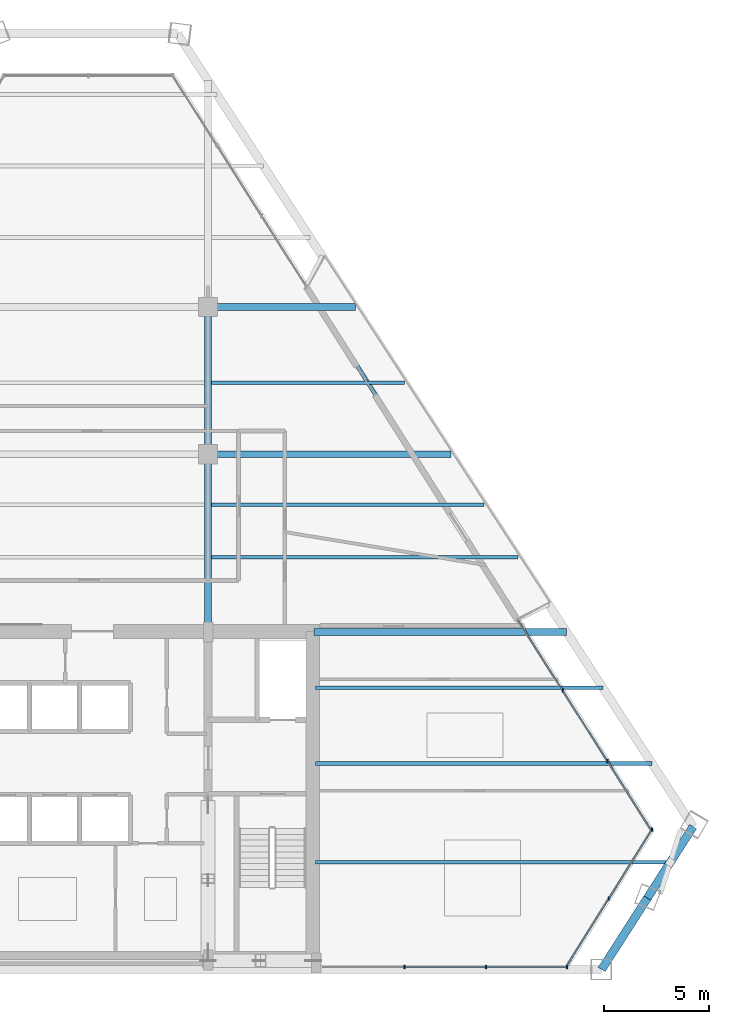
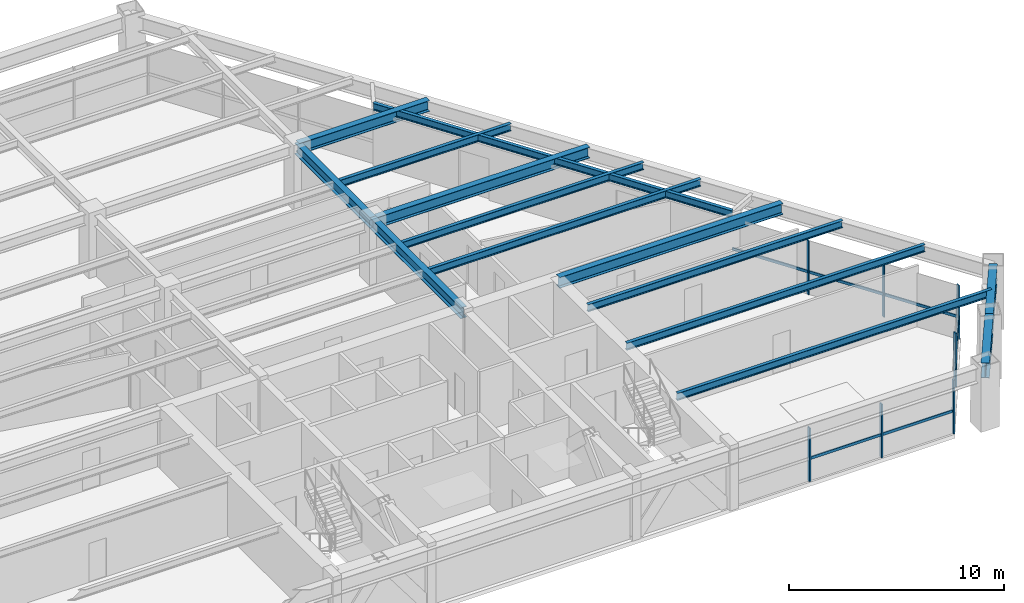
# One storey, part 6 of 15: 14 beams, 14 members, 3 elements without a shape of their own.
"""IFC4 building model written with IfcOpenShell, lengths in metres."""

from ifc_helpers import new_model, si_unit, direction, frame, origin, origin_2d, place, context, subcontext, project, spatial, rectangle, i_section, extrude, source, transform, mapped, material, material_profile, profile_set, type_object, type_shapes, element, aggregate, save


model = new_model("IFC4")

# Units and contexts
model_context = context("Model", 3, precision=1e-05, world=origin(), true_north=direction((0.0, 1.0)))
body_context = subcontext(model_context, "Body", "Model", "MODEL_VIEW")
ifc_project = project(units=[si_unit("LENGTHUNIT", "METRE"), si_unit("AREAUNIT", "SQUARE_METRE"), si_unit("VOLUMEUNIT", "CUBIC_METRE"), si_unit("PLANEANGLEUNIT", "RADIAN"), si_unit("MASSUNIT", "GRAM", prefix="KILO")], contexts=[model_context])

# Site, building, storey
site_placement = place(None, origin())
site = spatial("IfcSite", under=ifc_project, at=site_placement, CompositionType="ELEMENT")
building_placement = place(site_placement, origin())
building = spatial("IfcBuilding", under=site, at=building_placement, Name="Varnakhor Terracotta Tower", CompositionType="ELEMENT")
storey_placement = place(building_placement, frame((0.0, 0.0, 178.39990234375)))
storey = spatial("IfcBuildingStorey", under=building, at=storey_placement, Name="L45", CompositionType="ELEMENT", Elevation=178.39990234375)

# Beams
ifc_material_1 = material(Name="Steel S355", Category="steel")
ifc_material_profile_1 = material_profile(ifc_material_1, i_section(OverallWidth=0.324951171875, OverallDepth=0.615966796875, WebThickness=0.013916015625, FlangeThickness=0.02197265625, FilletRadius=0.01806640625, at=origin_2d()), Name="W24X117")
ifc_profile_set_1 = profile_set([ifc_material_profile_1], Name="Steel S355")
beam_type_1 = type_object("IfcBeamType", Name="BM-W24X117", PredefinedType="BEAM", material=ifc_profile_set_1)
shared_shape_1 = source(origin(), body_context, "Body", "SweptSolid", [
    extrude(i_section(OverallWidth=0.324951171875, OverallDepth=0.615966796875, WebThickness=0.013916015625, FlangeThickness=0.02197265625, FilletRadius=0.01806640625, at=origin_2d()), origin(), (0.0, 0.0, 1.0), 8.449951171875),
])
type_shapes(beam_type_1, [shared_shape_1])
beam_1_placement = place(storey_placement, frame((5.5, 16.050048828125, 3.162109375), z_axis=(0.0, 1.0, 0.0), x_axis=(-1.0, 0.0, 0.0)))
element("IfcBeam", 1, at=beam_1_placement, inside=storey, type_object=beam_type_1, Name="L45 Primary Girder NS1-E", PredefinedType="BEAM", context=body_context, shape_type="MappedRepresentation", body=[
    mapped(shared_shape_1, transform((0.0, 0.0, 0.0), scale=1.0)),
])
shared_shape_2 = source(origin(), body_context, "Body", "SweptSolid", [
    extrude(i_section(OverallWidth=0.324951171875, OverallDepth=0.615966796875, WebThickness=0.013916015625, FlangeThickness=0.02197265625, FilletRadius=0.01806640625, at=origin_2d()), origin(), (0.0, 0.0, 1.0), 7.0),
])
beam_2_placement = place(storey_placement, frame((5.5, 24.5, 3.162109375), z_axis=(0.0, 1.0, 0.0), x_axis=(-1.0, 0.0, 0.0)))
element("IfcBeam", 2, at=beam_2_placement, inside=storey, type_object=beam_type_1, Name="L45 Primary Girder NS2-E", PredefinedType="BEAM", context=body_context, shape_type="MappedRepresentation", body=[
    mapped(shared_shape_2, transform((0.0, 0.0, 0.0), scale=1.0)),
])
ifc_material_profile_2 = material_profile(ifc_material_1, i_section(OverallWidth=0.39990234375, OverallDepth=0.85498046875, WebThickness=0.01806640625, FlangeThickness=0.029052734375, FilletRadius=0.01806640625, at=origin_2d()), Name="W33X201")
ifc_profile_set_2 = profile_set([ifc_material_profile_2], Name="Steel S355")
beam_type_2 = type_object("IfcBeamType", Name="BM-W33X201", PredefinedType="BEAM", material=ifc_profile_set_2)
shared_shape_3 = source(origin(), body_context, "Body", "SweptSolid", [
    extrude(i_section(OverallWidth=0.39990234375, OverallDepth=0.85498046875, WebThickness=0.01806640625, FlangeThickness=0.029052734375, FilletRadius=0.01806640625, at=origin_2d()), origin(), (0.0, 0.0, 1.0), 4.033447265625),
])
for number, where, z_axis, x_axis, name in (
    (3, (24.216796875, 0.0, 3.04248046875), (0.539070872519, 0.842260407714, 0.0), (-0.842260407714, 0.539070872519, 0.0), "L45 Perimeter Spandrel 2"),
    (4, (26.39111328125, 3.397216796875, 3.04248046875), (0.539000450081, 0.842305475949, 0.0), (-0.842305475949, 0.539000450081, 0.0), "L45 Perimeter Spandrel 3"),
):
    element("IfcBeam", number, at=place(storey_placement, frame(where, z_axis=z_axis, x_axis=x_axis)), inside=storey, type_object=beam_type_2, Name=name, PredefinedType="BEAM", context=body_context, shape_type="MappedRepresentation", body=[
        mapped(shared_shape_3, transform((0.0, 0.0, 0.0), scale=1.0)),
    ])
ifc_material_profile_3 = material_profile(ifc_material_1, i_section(OverallWidth=0.179931640625, OverallDepth=0.39990234375, WebThickness=0.008544921875, FlangeThickness=0.013427734375, FilletRadius=0.01806640625, at=origin_2d()), Name="IPE400")
ifc_profile_set_3 = profile_set([ifc_material_profile_3], Name="Steel S355")
beam_type_3 = type_object("IfcBeamType", Name="JST-IPE400", PredefinedType="JOIST", material=ifc_profile_set_3)
shared_shape_4 = source(origin(), body_context, "Body", "SweptSolid", [
    extrude(i_section(OverallWidth=0.179931640625, OverallDepth=0.39990234375, WebThickness=0.008544921875, FlangeThickness=0.013427734375, FilletRadius=0.01806640625, at=origin_2d()), origin(), (0.0, 0.0, 1.0), 18.81787109375),
])
beam_3_placement = place(storey_placement, frame((20.24658203125, 16.62353515625, 3.27001953125), z_axis=(-0.535364403828, 0.844621190306, 0.0), x_axis=(-0.844621190306, -0.535364403828, 0.0)))
element("IfcBeam", 5, at=beam_3_placement, inside=storey, type_object=beam_type_3, Name="L45 Loggia Edge Beam 1", PredefinedType="JOIST", context=body_context, shape_type="MappedRepresentation", body=[
    mapped(shared_shape_4, transform((0.0, 0.0, 0.0), scale=1.0)),
])
shared_shape_5 = source(origin(), body_context, "Body", "SweptSolid", [
    extrude(i_section(OverallWidth=0.324951171875, OverallDepth=0.615966796875, WebThickness=0.013916015625, FlangeThickness=0.02197265625, FilletRadius=0.01806640625, at=origin_2d()), origin(), (0.0, 0.0, 1.0), 11.997314453125),
])
beam_4_placement = place(storey_placement, frame((10.550048828125, 16.050048828125, 3.162109375), z_axis=(1.0, 0.0, 0.0), x_axis=(0.0, 1.0, 0.0)))
element("IfcBeam", 6, at=beam_4_placement, inside=storey, type_object=beam_type_1, Name="L45 Wing Girder E", PredefinedType="BEAM", context=body_context, shape_type="MappedRepresentation", body=[
    mapped(shared_shape_5, transform((0.0, 0.0, 0.0), scale=1.0)),
])
shared_shape_6 = source(origin(), body_context, "Body", "SweptSolid", [
    extrude(i_section(OverallWidth=0.324951171875, OverallDepth=0.615966796875, WebThickness=0.013916015625, FlangeThickness=0.02197265625, FilletRadius=0.01806640625, at=origin_2d()), origin(), (0.0, 0.0, 1.0), 11.552978515625),
])
beam_5_placement = place(storey_placement, frame((5.5, 24.5, 3.162109375), z_axis=(1.0, 0.0, 0.0), x_axis=(0.0, 1.0, 0.0)))
element("IfcBeam", 7, at=beam_5_placement, inside=storey, type_object=beam_type_1, Name="L45 Primary Girder EW2-3", PredefinedType="BEAM", context=body_context, shape_type="MappedRepresentation", body=[
    mapped(shared_shape_6, transform((0.0, 0.0, 0.0), scale=1.0)),
])
shared_shape_7 = source(origin(), body_context, "Body", "SweptSolid", [
    extrude(i_section(OverallWidth=0.324951171875, OverallDepth=0.615966796875, WebThickness=0.013916015625, FlangeThickness=0.02197265625, FilletRadius=0.01806640625, at=origin_2d()), origin(), (0.0, 0.0, 1.0), 7.00146484375),
])
beam_6_placement = place(storey_placement, frame((5.5, 31.5, 3.162109375), z_axis=(1.0, 0.0, 0.0), x_axis=(0.0, 1.0, 0.0)))
element("IfcBeam", 8, at=beam_6_placement, inside=storey, type_object=beam_type_1, Name="L45 Primary Girder EW3-3", PredefinedType="BEAM", context=body_context, shape_type="MappedRepresentation", body=[
    mapped(shared_shape_7, transform((0.0, 0.0, 0.0), scale=1.0)),
])
ifc_material_profile_4 = material_profile(ifc_material_1, i_section(OverallWidth=0.179931640625, OverallDepth=0.4130859375, WebThickness=0.009765625, FlangeThickness=0.01611328125, FilletRadius=0.01806640625, at=origin_2d()), Name="W16X50")
ifc_profile_set_4 = profile_set([ifc_material_profile_4], Name="Steel S355")
beam_type_4 = type_object("IfcBeamType", Name="JST-W16X50", PredefinedType="JOIST", material=ifc_profile_set_4)
shared_shape_8 = source(origin(), body_context, "Body", "SweptSolid", [
    extrude(i_section(OverallWidth=0.179931640625, OverallDepth=0.4130859375, WebThickness=0.009765625, FlangeThickness=0.01611328125, FilletRadius=0.01806640625, at=origin_2d()), origin(), (0.0, 0.0, 1.0), 16.880615234375),
])
beam_7_placement = place(storey_placement, frame((10.60009765625, 5.10009765625, 3.263671875), z_axis=(1.0, 0.0, 0.0), x_axis=(0.0, 1.0, 0.0)))
element("IfcBeam", 9, at=beam_7_placement, inside=storey, type_object=beam_type_4, Name="L45 Floor Joist E1", PredefinedType="JOIST", context=body_context, shape_type="MappedRepresentation", body=[
    mapped(shared_shape_8, transform((0.0, 0.0, 0.0), scale=1.0)),
])
shared_shape_9 = source(origin(), body_context, "Body", "SweptSolid", [
    extrude(i_section(OverallWidth=0.179931640625, OverallDepth=0.4130859375, WebThickness=0.009765625, FlangeThickness=0.01611328125, FilletRadius=0.01806640625, at=origin_2d()), origin(), (0.0, 0.0, 1.0), 16.010986328125),
])
beam_8_placement = place(storey_placement, frame((10.60009765625, 9.800048828125, 3.263671875), z_axis=(1.0, 0.0, 0.0), x_axis=(0.0, 1.0, 0.0)))
element("IfcBeam", 10, at=beam_8_placement, inside=storey, type_object=beam_type_4, Name="L45 Floor Joist E2", PredefinedType="JOIST", context=body_context, shape_type="MappedRepresentation", body=[
    mapped(shared_shape_9, transform((0.0, 0.0, 0.0), scale=1.0)),
])
shared_shape_10 = source(origin(), body_context, "Body", "SweptSolid", [
    extrude(i_section(OverallWidth=0.179931640625, OverallDepth=0.4130859375, WebThickness=0.009765625, FlangeThickness=0.01611328125, FilletRadius=0.01806640625, at=origin_2d()), origin(), (0.0, 0.0, 1.0), 13.67041015625),
])
beam_9_placement = place(storey_placement, frame((10.60009765625, 13.39990234375, 3.263671875), z_axis=(1.0, 0.0, 0.0), x_axis=(0.0, 1.0, 0.0)))
element("IfcBeam", 11, at=beam_9_placement, inside=storey, type_object=beam_type_4, Name="L45 Floor Joist E3", PredefinedType="JOIST", context=body_context, shape_type="MappedRepresentation", body=[
    mapped(shared_shape_10, transform((0.0, 0.0, 0.0), scale=1.0)),
])
shared_shape_11 = source(origin(), body_context, "Body", "SweptSolid", [
    extrude(i_section(OverallWidth=0.179931640625, OverallDepth=0.4130859375, WebThickness=0.009765625, FlangeThickness=0.01611328125, FilletRadius=0.01806640625, at=origin_2d()), origin(), (0.0, 0.0, 1.0), 14.58056640625),
])
beam_10_placement = place(storey_placement, frame((5.658447265625, 19.60009765625, 3.263671875), z_axis=(1.0, 0.0, 0.0), x_axis=(0.0, 1.0, 0.0)))
element("IfcBeam", 12, at=beam_10_placement, inside=storey, type_object=beam_type_4, Name="L45 Composite Floor Joist 4-3", PredefinedType="JOIST", context=body_context, shape_type="MappedRepresentation", body=[
    mapped(shared_shape_11, transform((0.0, 0.0, 0.0), scale=1.0)),
])
shared_shape_12 = source(origin(), body_context, "Body", "SweptSolid", [
    extrude(i_section(OverallWidth=0.179931640625, OverallDepth=0.4130859375, WebThickness=0.009765625, FlangeThickness=0.01611328125, FilletRadius=0.01806640625, at=origin_2d()), origin(), (0.0, 0.0, 1.0), 12.955078125),
])
beam_11_placement = place(storey_placement, frame((5.658447265625, 22.10009765625, 3.263671875), z_axis=(1.0, 0.0, 0.0), x_axis=(0.0, 1.0, 0.0)))
element("IfcBeam", 13, at=beam_11_placement, inside=storey, type_object=beam_type_4, Name="L45 Composite Floor Joist 5-3", PredefinedType="JOIST", context=body_context, shape_type="MappedRepresentation", body=[
    mapped(shared_shape_12, transform((0.0, 0.0, 0.0), scale=1.0)),
])
shared_shape_13 = source(origin(), body_context, "Body", "SweptSolid", [
    extrude(i_section(OverallWidth=0.179931640625, OverallDepth=0.4130859375, WebThickness=0.009765625, FlangeThickness=0.01611328125, FilletRadius=0.01806640625, at=origin_2d()), origin(), (0.0, 0.0, 1.0), 9.183837890625),
])
beam_12_placement = place(storey_placement, frame((5.658447265625, 27.89990234375, 3.263671875), z_axis=(1.0, 0.0, 0.0), x_axis=(0.0, 1.0, 0.0)))
element("IfcBeam", 14, at=beam_12_placement, inside=storey, type_object=beam_type_4, Name="L45 Composite Floor Joist 6-3", PredefinedType="JOIST", context=body_context, shape_type="MappedRepresentation", body=[
    mapped(shared_shape_13, transform((0.0, 0.0, 0.0), scale=1.0)),
])

# Curtain wall, members
ifc_material_2 = material(Name="Anodised Aluminium Curtain Wall System", Category="aluminium")
curtain_wall_type = type_object("IfcCurtainWallType", Name="CW-SYS-MID-OFFICE", PredefinedType="NOTDEFINED", material=ifc_material_2)
curtain_wall_1_placement = place(storey_placement, origin())
curtain_wall_1 = element("IfcCurtainWall", 15, at=curtain_wall_1_placement, inside=storey, type_object=curtain_wall_type, Name="L45 E Facet Curtain Wall 2", PredefinedType="NOTDEFINED")
ifc_material_3 = material(Name="Anodised Aluminium 6063-T6", Category="aluminium")
ifc_material_profile_5 = material_profile(ifc_material_3, rectangle(XDim=0.070068359375, YDim=0.175048828125, at=origin_2d()), Name="ALU MULLION 70x175")
ifc_profile_set_5 = profile_set([ifc_material_profile_5], Name="Anodised Aluminium 6063-T6")
member_type_1 = type_object("IfcMemberType", Name="CWM-03", PredefinedType="MULLION", material=ifc_profile_set_5)
shared_shape_14 = source(origin(), body_context, "Body", "SweptSolid", [
    extrude(rectangle(XDim=0.070068359375, YDim=0.175048828125, at=origin_2d()), origin(), (0.0, 0.0, 1.0), 3.050048828125),
])
member_1_placement = place(storey_placement, frame((22.3671875, 13.262451171875, 0.0), z_axis=(0.0, 0.0, 1.0), x_axis=(1.0, 0.0, 0.0)))
member_1 = element("IfcMember", 16, at=member_1_placement, type_object=member_type_1, Name="L45 E Facet Curtain Wall 2 Mullion 2", PredefinedType="MULLION", context=body_context, shape_type="MappedRepresentation", body=[
    mapped(shared_shape_14, transform((0.0, 0.0, 0.0), scale=1.0)),
])
member_2_placement = place(storey_placement, frame((24.48779296875, 9.918701171875, 0.0), z_axis=(0.0, 0.0, 1.0), x_axis=(1.0, 0.0, 0.0)))
member_2 = element("IfcMember", 17, at=member_2_placement, type_object=member_type_1, Name="L45 E Facet Curtain Wall 2 Mullion 3", PredefinedType="MULLION", context=body_context, shape_type="MappedRepresentation", body=[
    mapped(shared_shape_14, transform((0.0, 0.0, 0.0), scale=1.0)),
])

curtain_wall_2_placement = place(storey_placement, origin())
curtain_wall_2 = element("IfcCurtainWall", 18, at=curtain_wall_2_placement, inside=storey, type_object=curtain_wall_type, Name="L45 Facet Curtain Wall 4", PredefinedType="NOTDEFINED")
member_3_placement = place(storey_placement, frame((26.608154296875, 6.652099609375, 0.0), z_axis=(0.0, 0.0, 1.0), x_axis=(1.0, 0.0, 0.0)))
member_3 = element("IfcMember", 19, at=member_3_placement, type_object=member_type_1, Name="L45 Facet Curtain Wall 4 Mullion 1", PredefinedType="MULLION", context=body_context, shape_type="MappedRepresentation", body=[
    mapped(shared_shape_14, transform((0.0, 0.0, 0.0), scale=1.0)),
])
member_4_placement = place(storey_placement, frame((24.55517578125, 3.37060546875, 0.0), z_axis=(0.0, 0.0, 1.0), x_axis=(1.0, 0.0, 0.0)))
member_4 = element("IfcMember", 20, at=member_4_placement, type_object=member_type_1, Name="L45 Facet Curtain Wall 4 Mullion 2", PredefinedType="MULLION", context=body_context, shape_type="MappedRepresentation", body=[
    mapped(shared_shape_14, transform((0.0, 0.0, 0.0), scale=1.0)),
])

curtain_wall_3_placement = place(storey_placement, origin())
curtain_wall_3 = element("IfcCurtainWall", 21, at=curtain_wall_3_placement, inside=storey, type_object=curtain_wall_type, Name="L45 South Wing Curtain Wall SSE", PredefinedType="NOTDEFINED")
member_5_placement = place(storey_placement, frame((22.577880859375, 0.1201171875, 0.0), z_axis=(0.0, 0.0, 1.0), x_axis=(1.0, 0.0, 0.0)))
member_5 = element("IfcMember", 22, at=member_5_placement, type_object=member_type_1, Name="L45 South Wing Curtain Wall SSE Mullion 1", PredefinedType="MULLION", context=body_context, shape_type="MappedRepresentation", body=[
    mapped(shared_shape_14, transform((0.0, 0.0, 0.0), scale=1.0)),
])
member_6_placement = place(storey_placement, frame((18.708740234375, 0.1201171875, 0.0), z_axis=(0.0, 0.0, 1.0), x_axis=(1.0, 0.0, 0.0)))
member_6 = element("IfcMember", 23, at=member_6_placement, type_object=member_type_1, Name="L45 South Wing Curtain Wall SSE Mullion 2", PredefinedType="MULLION", context=body_context, shape_type="MappedRepresentation", body=[
    mapped(shared_shape_14, transform((0.0, 0.0, 0.0), scale=1.0)),
])
member_7_placement = place(storey_placement, frame((14.83935546875, 0.1201171875, 0.0), z_axis=(0.0, 0.0, 1.0), x_axis=(1.0, 0.0, 0.0)))
member_7 = element("IfcMember", 24, at=member_7_placement, type_object=member_type_1, Name="L45 South Wing Curtain Wall SSE Mullion 3", PredefinedType="MULLION", context=body_context, shape_type="MappedRepresentation", body=[
    mapped(shared_shape_14, transform((0.0, 0.0, 0.0), scale=1.0)),
])

# Member
ifc_material_profile_6 = material_profile(ifc_material_3, rectangle(XDim=0.070068359375, YDim=0.155029296875, at=origin_2d()), Name="ALU TRANSOM 70x155")
ifc_profile_set_6 = profile_set([ifc_material_profile_6], Name="Anodised Aluminium 6063-T6")
member_type_2 = type_object("IfcMemberType", Name="CWT-03", PredefinedType="USERDEFINED", material=ifc_profile_set_6)
shared_shape_15 = source(origin(), body_context, "Body", "SweptSolid", [
    extrude(rectangle(XDim=0.070068359375, YDim=0.155029296875, at=origin_2d()), origin(), (0.0, 0.0, 1.0), 3.959228515625),
])
member_8_placement = place(storey_placement, frame((24.48779296875, 9.918701171875, 1.281005859375), z_axis=(0.535602090837, -0.844470485151, 0.0), x_axis=(0.844470485151, 0.535602090837, 0.0)))
member_8 = element("IfcMember", 25, at=member_8_placement, type_object=member_type_2, Name="L45 E Facet Curtain Wall 2 Transom 3", ObjectType="TRANSOM", PredefinedType="USERDEFINED", context=body_context, shape_type="MappedRepresentation", body=[
    mapped(shared_shape_15, transform((0.0, 0.0, 0.0), scale=1.0)),
])

shared_shape_16 = source(origin(), body_context, "Body", "SweptSolid", [
    extrude(rectangle(XDim=0.070068359375, YDim=0.155029296875, at=origin_2d()), origin(), (0.0, 0.0, 1.0), 3.95947265625),
])
member_9_placement = place(storey_placement, frame((20.24658203125, 16.606201171875, 1.281005859375), z_axis=(0.535574201955, -0.844488172919, 0.0), x_axis=(0.844488172919, 0.535574201955, 0.0)))
member_9 = element("IfcMember", 26, at=member_9_placement, type_object=member_type_2, Name="L45 E Facet Curtain Wall 2 Transom 1", ObjectType="TRANSOM", PredefinedType="USERDEFINED", context=body_context, shape_type="MappedRepresentation", body=[
    mapped(shared_shape_16, transform((0.0, 0.0, 0.0), scale=1.0)),
])

member_10_placement = place(storey_placement, frame((22.3671875, 13.262451171875, 1.281005859375), z_axis=(0.535574201955, -0.844488172919, 0.0), x_axis=(0.844488172919, 0.535574201955, 0.0)))
member_10 = element("IfcMember", 27, at=member_10_placement, type_object=member_type_2, Name="L45 E Facet Curtain Wall 2 Transom 2", ObjectType="TRANSOM", PredefinedType="USERDEFINED", context=body_context, shape_type="MappedRepresentation", body=[
    mapped(shared_shape_16, transform((0.0, 0.0, 0.0), scale=1.0)),
])

aggregate(curtain_wall_1, [member_9, member_1, member_10, member_2, member_8])

shared_shape_17 = source(origin(), body_context, "Body", "SweptSolid", [
    extrude(rectangle(XDim=0.070068359375, YDim=0.155029296875, at=origin_2d()), origin(), (0.0, 0.0, 1.0), 3.870849609375),
])
member_11_placement = place(storey_placement, frame((26.608154296875, 6.652099609375, 1.281005859375), z_axis=(-0.530378740686, -0.847760810269, 0.0), x_axis=(0.847760810269, -0.530378740686, 0.0)))
member_11 = element("IfcMember", 28, at=member_11_placement, type_object=member_type_2, Name="L45 Facet Curtain Wall 4 Transom 1", ObjectType="TRANSOM", PredefinedType="USERDEFINED", context=body_context, shape_type="MappedRepresentation", body=[
    mapped(shared_shape_17, transform((0.0, 0.0, 0.0), scale=1.0)),
])

member_12_placement = place(storey_placement, frame((24.55517578125, 3.37060546875, 1.281005859375), z_axis=(-0.530378740686, -0.847760810269, 0.0), x_axis=(0.847760810269, -0.530378740686, 0.0)))
member_12 = element("IfcMember", 29, at=member_12_placement, type_object=member_type_2, Name="L45 Facet Curtain Wall 4 Transom 2", ObjectType="TRANSOM", PredefinedType="USERDEFINED", context=body_context, shape_type="MappedRepresentation", body=[
    mapped(shared_shape_17, transform((0.0, 0.0, 0.0), scale=1.0)),
])

aggregate(curtain_wall_2, [member_3, member_11, member_4, member_12])

shared_shape_18 = source(origin(), body_context, "Body", "SweptSolid", [
    extrude(rectangle(XDim=0.070068359375, YDim=0.155029296875, at=origin_2d()), origin(), (0.0, 0.0, 1.0), 3.869140625),
])
member_13_placement = place(storey_placement, frame((22.577880859375, 0.1201171875, 1.281005859375), z_axis=(-1.0, 0.0, 0.0), x_axis=(0.0, -1.0, 0.0)))
member_13 = element("IfcMember", 30, at=member_13_placement, type_object=member_type_2, Name="L45 South Wing Curtain Wall SSE Transom 1", ObjectType="TRANSOM", PredefinedType="USERDEFINED", context=body_context, shape_type="MappedRepresentation", body=[
    mapped(shared_shape_18, transform((0.0, 0.0, 0.0), scale=1.0)),
])

shared_shape_19 = source(origin(), body_context, "Body", "SweptSolid", [
    extrude(rectangle(XDim=0.070068359375, YDim=0.155029296875, at=origin_2d()), origin(), (0.0, 0.0, 1.0), 3.869384765625),
])
member_14_placement = place(storey_placement, frame((18.708740234375, 0.1201171875, 1.281005859375), z_axis=(-1.0, 0.0, 0.0), x_axis=(0.0, -1.0, 0.0)))
member_14 = element("IfcMember", 31, at=member_14_placement, type_object=member_type_2, Name="L45 South Wing Curtain Wall SSE Transom 2", ObjectType="TRANSOM", PredefinedType="USERDEFINED", context=body_context, shape_type="MappedRepresentation", body=[
    mapped(shared_shape_19, transform((0.0, 0.0, 0.0), scale=1.0)),
])

aggregate(curtain_wall_3, [member_5, member_13, member_6, member_14, member_7])

save(model, "model.ifc")
